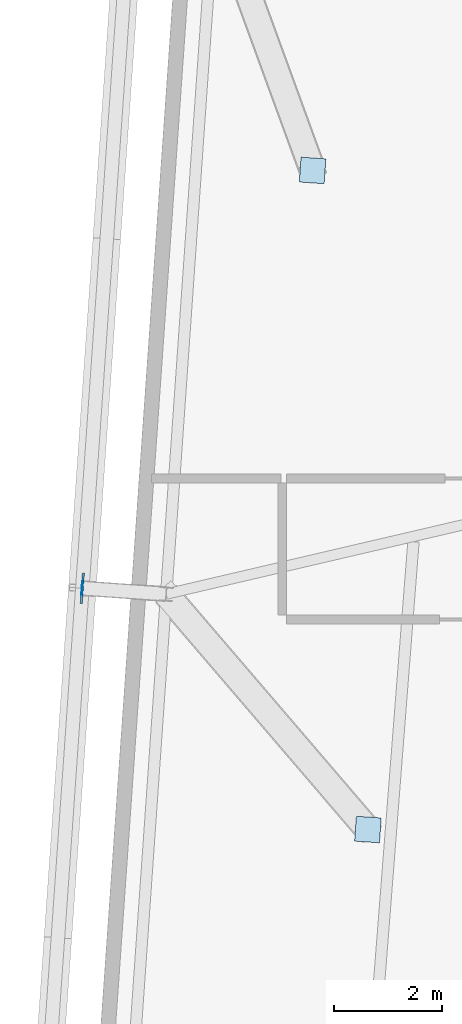
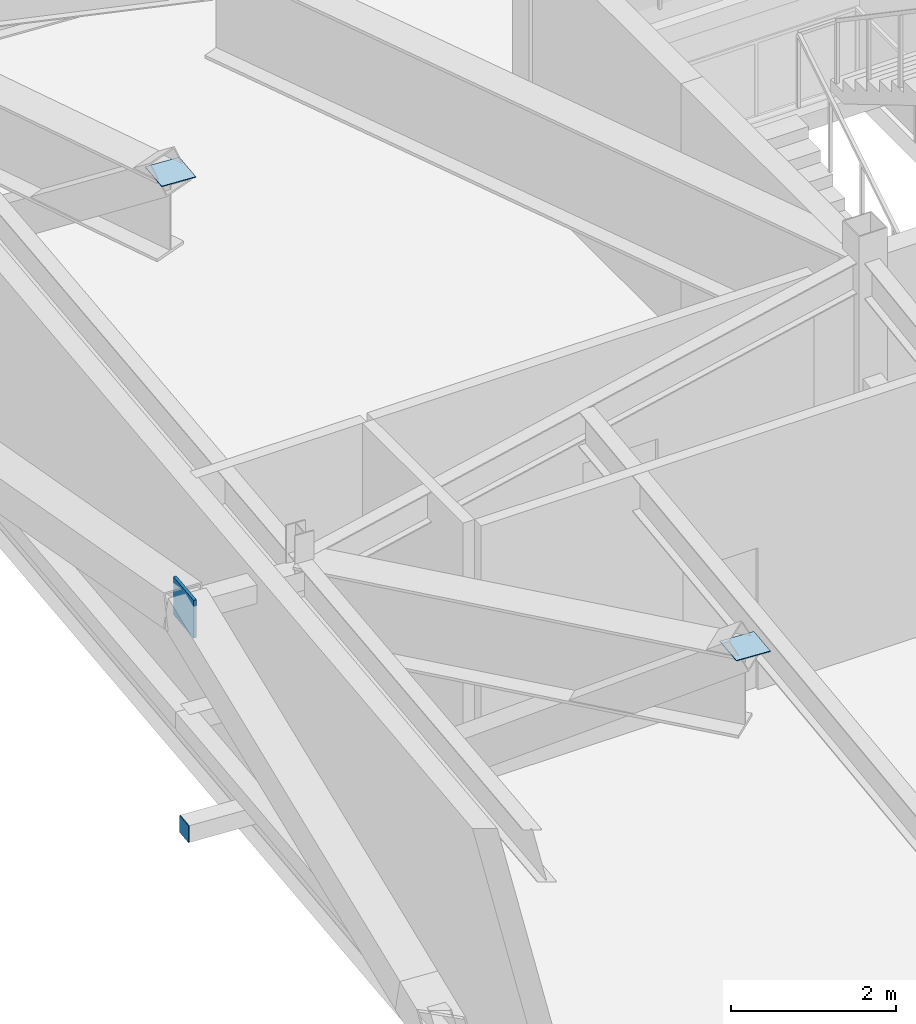
# One storey, part 15 of 24: 4 plates.
"""IFC4 building model written with IfcOpenShell, lengths in metres."""

import ifcopenshell
import ifcopenshell.guid

model = None  # the IFC model being written
_history = None  # IfcOwnerHistory: only IFC2X3 demands one
_inside = {}  # id of a spatial element -> (the spatial element, [elements in it])
_under = {}  # id of a project, library or spatial element -> (it, [spatial elements below it])
_declared = {}  # id of a project -> (the project, [libraries it declares])
_typed = {}  # id of a type object -> (the type object, [elements of that type])
_made_of = {}  # id of a material, layer set ... -> (it, [elements and type objects made of it])


def new_model(schema):
    """Start an empty IFC model of exactly this schema.

    Asked for "IFC4X3", IfcOpenShell would pick the latest addendum, in which some entities
    have other attributes; the version numbers below select the first issue.
    IFC2X3 requires an IfcOwnerHistory on every rooted entity: one is made here for all.
    """
    global model, _history
    if schema == "IFC4X3":
        model = ifcopenshell.file(schema_version=(4, 3, 0, 0))
    else:
        model = ifcopenshell.file(schema=schema)
    _inside.clear()
    _under.clear()
    _declared.clear()
    _typed.clear()
    _made_of.clear()
    _history = None
    if model.schema == "IFC2X3":
        org = make("IfcOrganization", Name="unknown")
        user = make(
            "IfcPersonAndOrganization",
            ThePerson=make("IfcPerson", FamilyName="unknown"),
            TheOrganization=org,
        )
        app = make(
            "IfcApplication",
            ApplicationDeveloper=org,
            Version="unknown",
            ApplicationFullName="unknown",
            ApplicationIdentifier="unknown",
        )
        _history = make(
            "IfcOwnerHistory",
            OwningUser=user,
            OwningApplication=app,
            ChangeAction="ADDED",
            CreationDate=0,
        )
    return model


def make(cls, **values):
    """One entity of the class cls with the attributes given. An attribute that is None is left unset."""
    return model.create_entity(
        cls, **{name: value for name, value in values.items() if value is not None}
    )


def rooted(cls, **values):
    """An entity with a GlobalId (a new one), such as an element, a storey or a relation."""
    return make(cls, GlobalId=ifcopenshell.guid.new(), OwnerHistory=_history, **values)


def si_unit(unit_type, name, prefix=None):
    """IfcSIUnit, for example si_unit("LENGTHUNIT", "METRE", prefix="MILLI")."""
    return make("IfcSIUnit", UnitType=unit_type, Prefix=prefix, Name=name)


def assignment(units):
    """IfcUnitAssignment: the units of a project."""
    return None if units is None else make("IfcUnitAssignment", Units=units)


def point(xyz):
    """IfcCartesianPoint."""
    return None if xyz is None else make("IfcCartesianPoint", Coordinates=xyz)


def direction(xyz):
    """IfcDirection."""
    return None if xyz is None else make("IfcDirection", DirectionRatios=xyz)


def frame(location, z_axis=None, x_axis=None):
    """IfcAxis2Placement3D, a coordinate frame: its origin and axes. An axis left out is left unset."""
    return make(
        "IfcAxis2Placement3D",
        Location=point(location),
        Axis=direction(z_axis),
        RefDirection=direction(x_axis),
    )


def frame_2d(location, x_axis=None):
    """IfcAxis2Placement2D, a coordinate frame in the plane: its origin and x axis."""
    return make(
        "IfcAxis2Placement2D", Location=point(location), RefDirection=direction(x_axis)
    )


def origin():
    """The frame at (0, 0, 0) with its axes left unset."""
    return frame((0.0, 0.0, 0.0))


def origin_2d():
    """The frame at (0, 0) in the plane with its x axis left unset."""
    return frame_2d((0.0, 0.0))


def place(relative_to, where):
    """IfcLocalPlacement: puts the frame where relative to a parent placement (None: the world)."""
    return make(
        "IfcLocalPlacement", PlacementRelTo=relative_to, RelativePlacement=where
    )


def context(
    kind, dimensions, precision=None, world=None, true_north=None, identifier=None
):
    """IfcGeometricRepresentationContext, for example the 3D "Model" context."""
    return make(
        "IfcGeometricRepresentationContext",
        ContextIdentifier=identifier,
        ContextType=kind,
        CoordinateSpaceDimension=dimensions,
        Precision=precision,
        WorldCoordinateSystem=world,
        TrueNorth=true_north,
    )


def subcontext(parent, identifier, kind, view, scale=None):
    """IfcGeometricRepresentationSubContext, for example "Body" below "Model"."""
    return make(
        "IfcGeometricRepresentationSubContext",
        ContextIdentifier=identifier,
        ContextType=kind,
        ParentContext=parent,
        TargetScale=scale,
        TargetView=view,
    )


def project(units=None, contexts=None):
    """IfcProject with its units and contexts."""
    return rooted(
        "IfcProject",
        Name="project",
        RepresentationContexts=contexts,
        UnitsInContext=assignment(units),
    )


def spatial(cls, under=None, at=None, **own):
    """A site, building, storey or space (cls), placed at a placement, below another one or the project."""
    s = rooted(cls, ObjectPlacement=at, **own)
    if under is not None:
        _under.setdefault(under.id(), (under, []))[1].append(s)
    return s


def profile(cls, at=None, kind="AREA", **sizes):
    """A parametric profile (cls). Its sizes go by their IFC names, for example OverallWidth=200.0."""
    return make(cls, ProfileType=kind, Position=at, **sizes)


def rectangle(**sizes):
    """IfcRectangleProfileDef."""
    return profile("IfcRectangleProfileDef", **sizes)


def extrude(swept, where, along, depth):
    """IfcExtrudedAreaSolid: the profile swept, set in the frame where, extruded along a direction by depth."""
    return make(
        "IfcExtrudedAreaSolid",
        SweptArea=swept,
        Position=where,
        ExtrudedDirection=direction(along),
        Depth=depth,
    )


def shape(context_of_items, identifier, shape_type, items):
    """IfcShapeRepresentation: the items that make up one representation, for example the "Body"."""
    return make(
        "IfcShapeRepresentation",
        ContextOfItems=context_of_items,
        RepresentationIdentifier=identifier,
        RepresentationType=shape_type,
        Items=items,
    )


def source(mapping_origin, context_of_items, identifier, shape_type, items):
    """IfcRepresentationMap: a shape defined once, which mapped items show again and again."""
    return make(
        "IfcRepresentationMap",
        MappingOrigin=mapping_origin,
        MappedRepresentation=shape(context_of_items, identifier, shape_type, items),
    )


def transform(
    local_origin,
    x_axis=None,
    y_axis=None,
    z_axis=None,
    scale=None,
    scale2=None,
    scale3=None,
    uniform=True,
):
    """IfcCartesianTransformationOperator3D, or its non-uniform kind. x_axis, y_axis, z_axis: its Axis1, 2, 3."""
    if uniform:
        return make(
            "IfcCartesianTransformationOperator3D",
            Axis1=direction(x_axis),
            Axis2=direction(y_axis),
            LocalOrigin=point(local_origin),
            Scale=scale,
            Axis3=direction(z_axis),
        )
    return make(
        "IfcCartesianTransformationOperator3DnonUniform",
        Axis1=direction(x_axis),
        Axis2=direction(y_axis),
        LocalOrigin=point(local_origin),
        Scale=scale,
        Axis3=direction(z_axis),
        Scale2=scale2,
        Scale3=scale3,
    )


def mapped(mapping_source, mapping_target):
    """IfcMappedItem: shows the shape of a source again, moved by a transform."""
    return make(
        "IfcMappedItem", MappingSource=mapping_source, MappingTarget=mapping_target
    )


def material(Name=None, Category=None):
    """IfcMaterial."""
    return make("IfcMaterial", Name=Name, Category=Category)


def layer(
    of_material, thickness, ventilated=None, Name=None, Category=None, Priority=None
):
    """IfcMaterialLayer: one layer of a wall or slab, of a material (None: an air gap)."""
    return make(
        "IfcMaterialLayer",
        Material=of_material,
        LayerThickness=thickness,
        IsVentilated=ventilated,
        Name=Name,
        Category=Category,
        Priority=Priority,
    )


def layer_set(layers, Name=None):
    """IfcMaterialLayerSet."""
    return make("IfcMaterialLayerSet", MaterialLayers=layers, LayerSetName=Name)


def made_of(thing, what):
    """Note that an element or type object is made of a material, layer set ...; save() writes the relation."""
    if what is not None:
        _made_of.setdefault(what.id(), (what, []))[1].append(thing)
    return thing


def type_object(cls, material=None, **own):
    """A type object (cls), such as IfcWallType, which elements share."""
    return made_of(rooted(cls, **own), material)


def element(
    cls,
    number,
    at=None,
    inside=None,
    cuts=None,
    type_object=None,
    material=None,
    context=None,
    identifier="Body",
    shape_type=None,
    held_by="IfcProductDefinitionShape",
    body=None,
    shapes=None,
    **own,
):
    """One element of the class cls, such as IfcWall. Its Tag is "e" and its number.

    at: its placement. inside: the storey or other place that contains it. cuts: it is an
    opening in that element (IfcRelVoidsElement). A single representation is given by context,
    identifier, shape_type and body (its items); several are given by shapes. held_by: the class
    of the entity that holds the representations. save() writes the other relations.
    """
    e = rooted(cls, Tag="e%d" % number, ObjectPlacement=at, **own)
    if body is not None:
        shapes = [shape(context, identifier, shape_type, body)]
    if shapes is not None:
        e.Representation = make(held_by, Representations=shapes)
    if inside is not None:
        _inside.setdefault(inside.id(), (inside, []))[1].append(e)
    if cuts is not None:
        rooted(
            "IfcRelVoidsElement", RelatingBuildingElement=cuts, RelatedOpeningElement=e
        )
    if type_object is not None:
        _typed.setdefault(type_object.id(), (type_object, []))[1].append(e)
    return made_of(e, material)


def aggregate(whole, parts):
    """IfcRelAggregates: a whole, such as a stair, and the parts it consists of."""
    return rooted("IfcRelAggregates", RelatingObject=whole, RelatedObjects=parts)


def save(model, path):
    """Write the relations noted so far, then the file.

    IfcRelAggregates (storeys below a building ...), IfcRelContainedInSpatialStructure (elements
    in a storey), IfcRelDefinesByType, IfcRelAssociatesMaterial and IfcRelDeclares: one each for
    every whole, place, type object, material and project.
    """
    for whole, parts in _under.values():
        aggregate(whole, parts)
    for where, things in _inside.values():
        rooted(
            "IfcRelContainedInSpatialStructure",
            RelatedElements=things,
            RelatingStructure=where,
        )
    for kind, things in _typed.values():
        rooted("IfcRelDefinesByType", RelatedObjects=things, RelatingType=kind)
    for what, things in _made_of.values():
        rooted("IfcRelAssociatesMaterial", RelatedObjects=things, RelatingMaterial=what)
    for by, libraries in _declared.values():
        rooted("IfcRelDeclares", RelatingContext=by, RelatedDefinitions=libraries)
    model.write(path)


model = new_model("IFC4")

# Units and contexts
model_context = context("Model", 3, precision=1e-05, world=origin(), true_north=direction((0.0, 1.0)))
body_context = subcontext(model_context, "Body", "Model", "MODEL_VIEW")
ifc_project = project(units=[si_unit("LENGTHUNIT", "METRE"), si_unit("AREAUNIT", "SQUARE_METRE"), si_unit("VOLUMEUNIT", "CUBIC_METRE"), si_unit("PLANEANGLEUNIT", "RADIAN"), si_unit("MASSUNIT", "GRAM", prefix="KILO")], contexts=[model_context])

# Site, building, storey
site_placement = place(None, origin())
site = spatial("IfcSite", under=ifc_project, at=site_placement, CompositionType="ELEMENT")
building_placement = place(site_placement, origin())
building = spatial("IfcBuilding", under=site, at=building_placement, Name="Taldren Reach Tower", CompositionType="ELEMENT")
storey_placement = place(building_placement, frame((0.0, 0.0, 164.5)))
storey = spatial("IfcBuildingStorey", under=building, at=storey_placement, Name="L50", CompositionType="ELEMENT", Elevation=164.5)

# Plates
ifc_material_1 = material(Name="Steel Gr 450 (C450L0)", Category="steel")
ifc_layer_1 = layer(ifc_material_1, 0.0400390625)
ifc_layer_set_1 = layer_set([ifc_layer_1], Name="Steel Gr 450 (C450L0)")
plate_type_1 = type_object("IfcPlateType", Name="PL-GUSSET-40", PredefinedType="SHEET", material=ifc_layer_set_1)
shared_shape_1 = source(origin(), body_context, "Body", "SweptSolid", [
    extrude(rectangle(XDim=0.56005859375, YDim=0.0400390625, at=origin_2d()), origin(), (0.0, 0.0, 1.0), 0.56005859375),
])
plate_1_placement = place(storey_placement, frame((8.3154296875, 21.9765625, 3.219970703125), z_axis=(0.0, 0.0, 1.0), x_axis=(0.069756473744, 0.99756405026, 0.0)))
element("IfcPlate", 1, at=plate_1_placement, inside=storey, type_object=plate_type_1, Name="Exoskeleton star-node gusset plate B3-W2 L50", PredefinedType="SHEET", context=body_context, shape_type="MappedRepresentation", body=[
    mapped(shared_shape_1, transform((0.0, 0.0, 0.0), scale=1.0)),
])
ifc_material_2 = material(Name="Steel Gr 350 (C350L0)", Category="steel")
ifc_layer_2 = layer(ifc_material_2, 0.011962890625)
ifc_layer_set_2 = layer_set([ifc_layer_2], Name="Steel Gr 350 (C350L0)")
plate_type_2 = type_object("IfcPlateType", Name="PL-CAP-250", PredefinedType="SHEET", material=ifc_layer_set_2)
shared_shape_2 = source(origin(), body_context, "Body", "SweptSolid", [
    extrude(rectangle(XDim=0.011962890625, YDim=0.25, at=origin_2d()), origin(), (0.0, 0.0, 1.0), 0.25),
])
plate_2_placement = place(storey_placement, frame((8.3095703125, 21.976806640625, 0.094970703125), z_axis=(0.0, 0.0, 1.0), x_axis=(0.99756405026, -0.069756473744, 0.0)))
element("IfcPlate", 2, at=plate_2_placement, inside=storey, type_object=plate_type_2, Name="Tie strut end cap plate B3-W2 L50", PredefinedType="SHEET", context=body_context, shape_type="MappedRepresentation", body=[
    mapped(shared_shape_2, transform((0.0, 0.0, 0.0), scale=1.0)),
])
ifc_layer_3 = layer(ifc_material_1, 0.011962890625)
ifc_layer_set_3 = layer_set([ifc_layer_3], Name="Steel Gr 450 (C450L0)")
plate_type_3 = type_object("IfcPlateType", Name="PL-CAP-460", PredefinedType="SHEET", material=ifc_layer_set_3)
shared_shape_3 = source(origin(), body_context, "Body", "SweptSolid", [
    extrude(rectangle(XDim=0.4599609375, YDim=0.4599609375, at=origin_2d()), origin(), (0.0, 0.0, 1.0), 0.011962890625),
])
for number, where, z_axis, x_axis, name in (
    (3, (13.582763671875, 17.525146484375, 3.76806640625), (0.0, 0.0, 1.0), (0.99756405026, -0.069756473744, 0.0), "Transfer strut end cap plate TS-B4-W2 L50"),
    (4, (12.56201171875, 29.682373046875, 3.76806640625), (0.0, 0.0, 1.0), (0.99756405026, -0.069756473744, 0.0), "Transfer strut end cap plate TS-B4-W3 L50"),
):
    element("IfcPlate", number, at=place(storey_placement, frame(where, z_axis=z_axis, x_axis=x_axis)), inside=storey, type_object=plate_type_3, Name=name, PredefinedType="SHEET", context=body_context, shape_type="MappedRepresentation", body=[
        mapped(shared_shape_3, transform((0.0, 0.0, 0.0), scale=1.0)),
    ])

save(model, "model.ifc")
